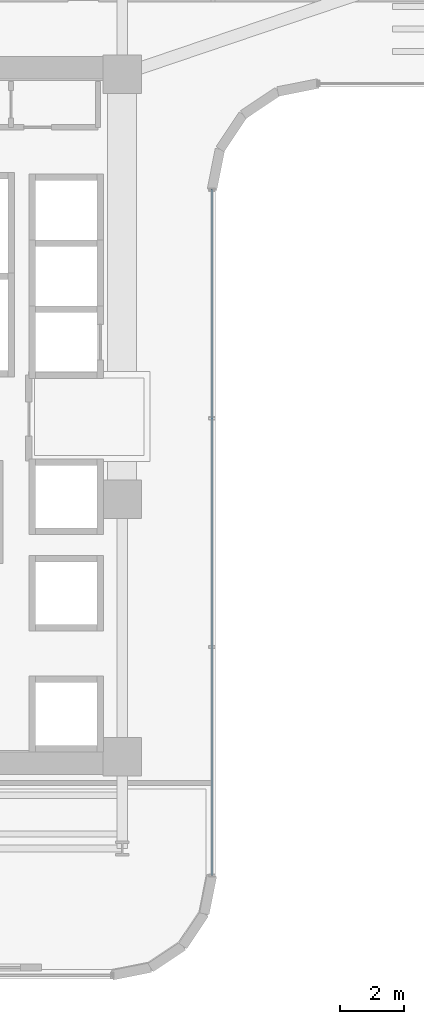
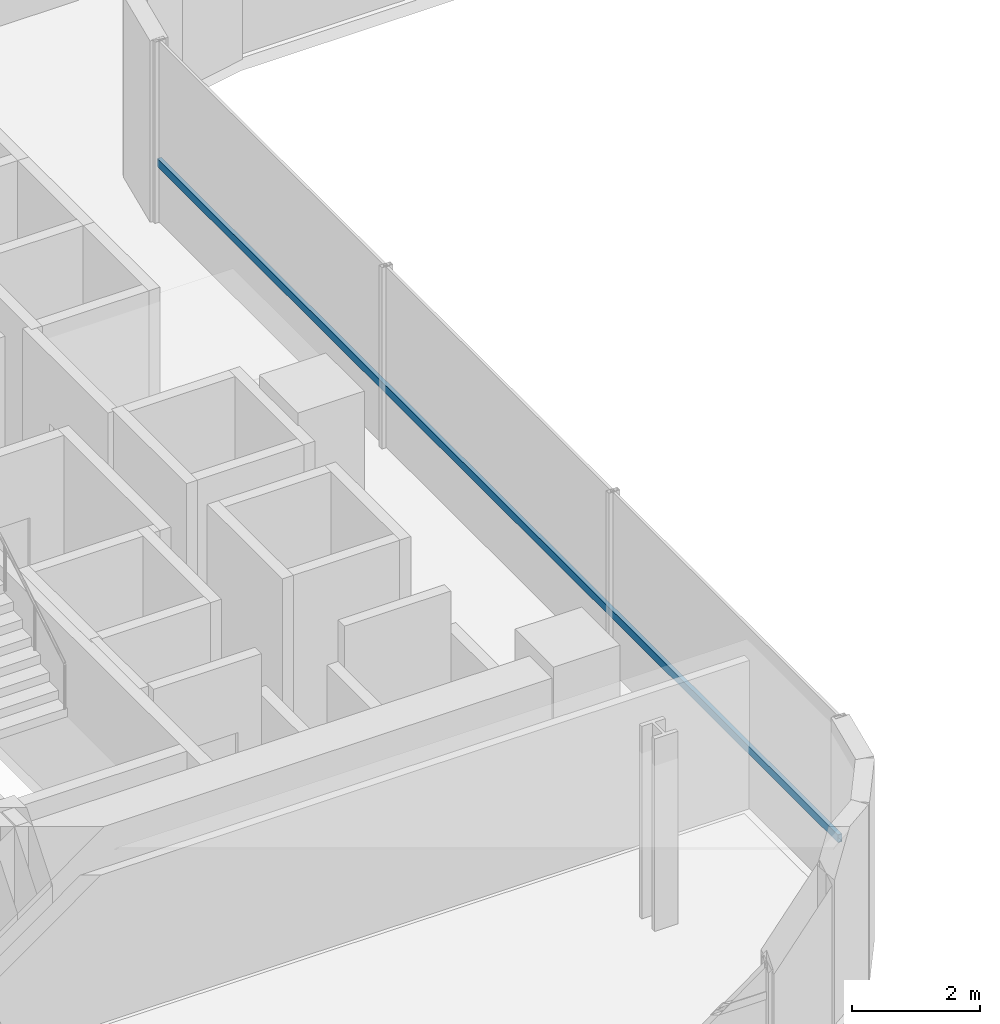
# One storey, part 6 of 35: 1 member, 1 element without a shape of its own.
"""IFC4 building model written with IfcOpenShell, lengths in metres."""

from ifc_helpers import new_model, si_unit, direction, frame, origin, origin_2d, place, context, subcontext, project, spatial, hollow_rectangle, extrude, source, transform, mapped, material, material_profile, profile_set, type_object, element, aggregate, save


model = new_model("IFC4")

# Units and contexts
model_context = context("Model", 3, precision=1e-05, world=origin(), true_north=direction((0.0, 1.0)))
body_context = subcontext(model_context, "Body", "Model", "MODEL_VIEW")
ifc_project = project(units=[si_unit("LENGTHUNIT", "METRE"), si_unit("AREAUNIT", "SQUARE_METRE"), si_unit("VOLUMEUNIT", "CUBIC_METRE"), si_unit("PLANEANGLEUNIT", "RADIAN"), si_unit("MASSUNIT", "GRAM", prefix="KILO")], contexts=[model_context])

# Site, building, storey
site_placement = place(None, origin())
site = spatial("IfcSite", under=ifc_project, at=site_placement, CompositionType="ELEMENT")
building_placement = place(site_placement, origin())
building = spatial("IfcBuilding", under=site, at=building_placement, Name="Valdorenza Pilgrim Sanctuary Tower", CompositionType="ELEMENT")
storey_placement = place(building_placement, frame((0.0, 0.0, 105.699951171875)))
storey = spatial("IfcBuildingStorey", under=building, at=storey_placement, Name="L26", CompositionType="ELEMENT", Elevation=105.699951171875)

# Curtain wall, member
ifc_material_1 = material(Name="Curtain-wall IGU glazing", Category="glass")
curtain_wall_type = type_object("IfcCurtainWallType", Name="CW-SYS-02", PredefinedType="NOTDEFINED", material=ifc_material_1)
curtain_wall_placement = place(storey_placement, origin())
curtain_wall = element("IfcCurtainWall", 1, at=curtain_wall_placement, inside=storey, type_object=curtain_wall_type, Name="L26 Curtain Wall CW-L26-1-41", PredefinedType="NOTDEFINED")
ifc_material_2 = material(Name="Anodised aluminium AW-6060", Category="aluminium")
ifc_material_profile = material_profile(ifc_material_2, hollow_rectangle(XDim=0.074951171875, YDim=0.14990234375, WallThickness=0.00390625, at=origin_2d()), Name="ALU-T 150x75x4")
ifc_profile_set = profile_set([ifc_material_profile], Name="Anodised aluminium AW-6060")
member_type = type_object("IfcMemberType", Name="CW-TRN-02", PredefinedType="USERDEFINED", material=ifc_profile_set)
shared_shape = source(origin(), body_context, "Body", "SweptSolid", [
    extrude(hollow_rectangle(XDim=0.074951171875, YDim=0.14990234375, WallThickness=0.00390625, at=origin_2d()), origin(), (0.0, 0.0, 1.0), 21.300048828125),
])
member_placement = place(storey_placement, frame((-9.610107421875, 7.0107421875, 1.1201171875), z_axis=(0.0, -1.0, 0.0), x_axis=(1.0, 0.0, 0.0)))
member = element("IfcMember", 2, at=member_placement, type_object=member_type, Name="CW-L26-1-41 Transom 1", ObjectType="TRANSOM", PredefinedType="USERDEFINED", context=body_context, shape_type="MappedRepresentation", body=[
    mapped(shared_shape, transform((0.0, 0.0, 0.0), x_axis=(1.0, 0.0, 0.0), y_axis=(0.0, 1.0, 0.0), z_axis=(0.0, 0.0, 1.0), scale=1.0)),
])
aggregate(curtain_wall, [member])

save(model, "model.ifc")
